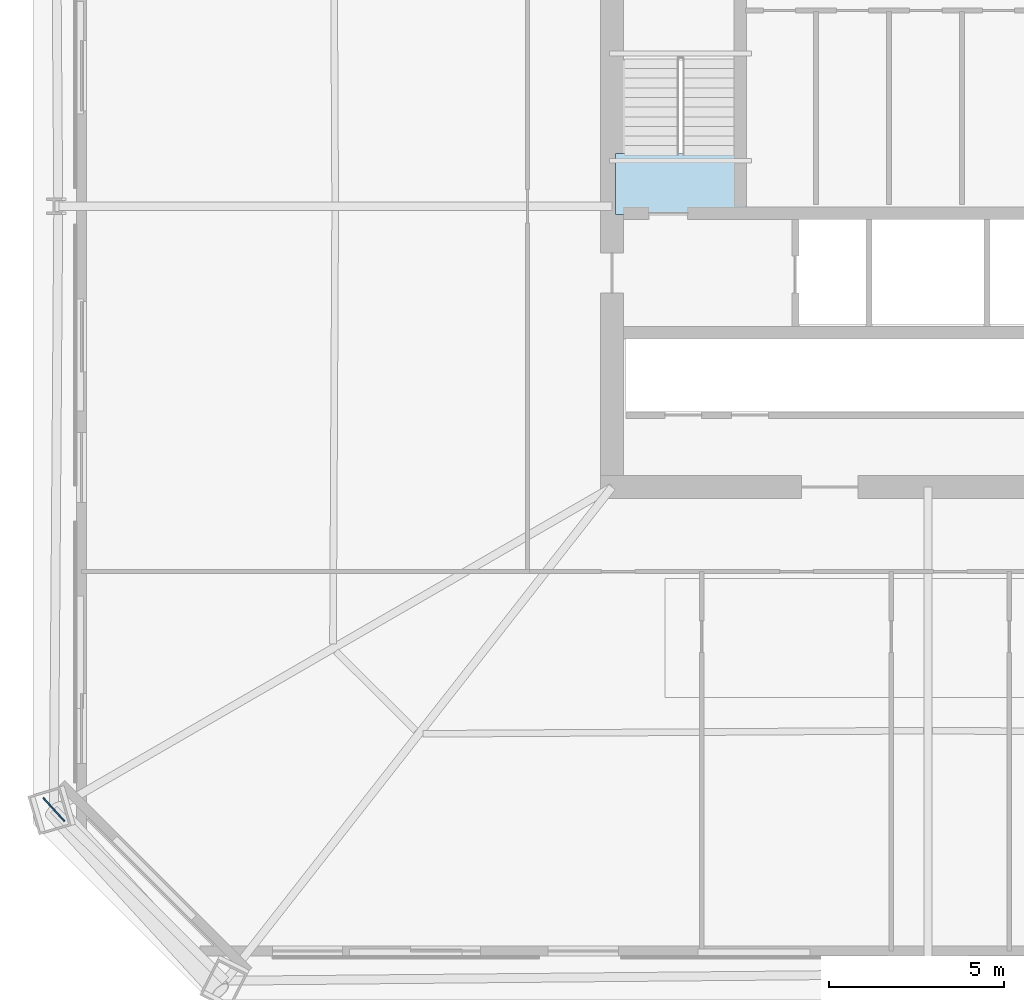
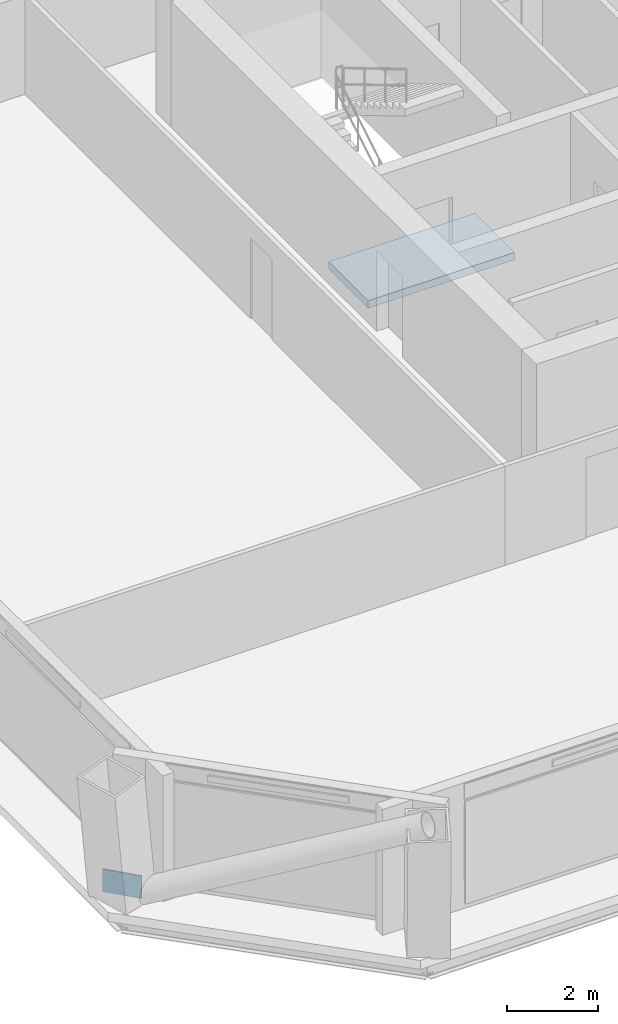
# One storey, part 2 of 10: 1 plate, 1 slab, 1 element without a shape of its own.
"""IFC4 building model written with IfcOpenShell, lengths in metres."""

from ifc_helpers import new_model, si_unit, direction, frame, origin, origin_2d, place, context, subcontext, project, spatial, polyline, rectangle, outline, extrude, material, layer, layer_set, type_object, element, aggregate, save


model = new_model("IFC4")

# Units and contexts
model_context = context("Model", 3, precision=1e-05, world=origin(), true_north=direction((0.0, 1.0)))
body_context = subcontext(model_context, "Body", "Model", "MODEL_VIEW")
ifc_project = project(units=[si_unit("LENGTHUNIT", "METRE"), si_unit("AREAUNIT", "SQUARE_METRE"), si_unit("VOLUMEUNIT", "CUBIC_METRE"), si_unit("PLANEANGLEUNIT", "RADIAN"), si_unit("MASSUNIT", "GRAM", prefix="KILO")], contexts=[model_context])

# Site, building, storey
site_placement = place(None, origin())
site = spatial("IfcSite", under=ifc_project, at=site_placement, CompositionType="ELEMENT")
building_placement = place(site_placement, origin())
building = spatial("IfcBuilding", under=site, at=building_placement, Name="Caelvoria Tower", CompositionType="ELEMENT")
storey_placement = place(building_placement, frame((0.0, 0.0, 56.800048828125)))
storey = spatial("IfcBuildingStorey", under=building, at=storey_placement, Name="L14", CompositionType="ELEMENT", Elevation=56.800048828125)

# Plate
ifc_material_1 = material(Name="Structural Steel ASTM A572 Gr.50", Category="steel")
ifc_layer_1 = layer(ifc_material_1, 0.0400390625, Name="Structural Steel ASTM A572 Gr.50")
ifc_layer_set_1 = layer_set([ifc_layer_1], Name="Megaframe Node Gusset Plate 900x600x40 - Structural Steel ASTM A572 Gr.50")
plate_type = type_object("IfcPlateType", Name="Megaframe Node Gusset Plate 900x600x40", PredefinedType="USERDEFINED", material=ifc_layer_set_1)
plate_placement = place(storey_placement, frame((21.092529296875, 14.80908203125, 0.02001953125), z_axis=(0.0, 0.0, 1.0), x_axis=(0.675452509123, -0.73740349058, 0.0)))
element("IfcPlate", 1, at=plate_placement, inside=storey, type_object=plate_type, Name="Chamfer Mega Brace Gusset L14 SW", ObjectType="GUSSET_PLATE", PredefinedType="USERDEFINED", context=body_context, shape_type="SweptSolid", body=[
    extrude(rectangle(XDim=0.89990234375, YDim=0.0400390625, at=origin_2d()), origin(), (0.0, 0.0, 1.0), 0.60009765625),
])

# Stair, slab
ifc_material_2 = material(Name="Concrete C40/50", Category="concrete")
stair_type = type_object("IfcStairType", Name="Core Smokeproof Dogleg Stair Concrete C40/50", PredefinedType="HALF_TURN_STAIR", material=ifc_material_2)
stair_placement = place(storey_placement, origin())
stair = element("IfcStair", 2, at=stair_placement, inside=storey, type_object=stair_type, Name="ST-01 Smokeproof Exit Stair L14", PredefinedType="HALF_TURN_STAIR")
ifc_layer_2 = layer(ifc_material_2, 0.199951171875, Name="Concrete C40/50")
ifc_layer_set_2 = layer_set([ifc_layer_2], Name="Stair Half and Floor Landing Slab 200 Concrete C40/50 - Concrete C40/50")
slab_type = type_object("IfcSlabType", Name="Stair Half and Floor Landing Slab 200 Concrete C40/50", PredefinedType="LANDING", material=ifc_layer_set_2)
slab_placement = place(storey_placement, frame((0.0, 0.0, -0.199951171875)))
slab = element("IfcSlab", 3, at=slab_placement, type_object=slab_type, Name="ST-01 landing 1", PredefinedType="LANDING", context=body_context, shape_type="SweptSolid", body=[
    extrude(outline(polyline([(37.10009765625, 31.77001953125), (40.800048828125, 31.77001953125), (40.800048828125, 33.5), (37.10009765625, 33.5), (37.10009765625, 31.77001953125)])), origin(), (0.0, 0.0, 1.0), 0.199951171875),
])
aggregate(stair, [slab])

save(model, "model.ifc")
